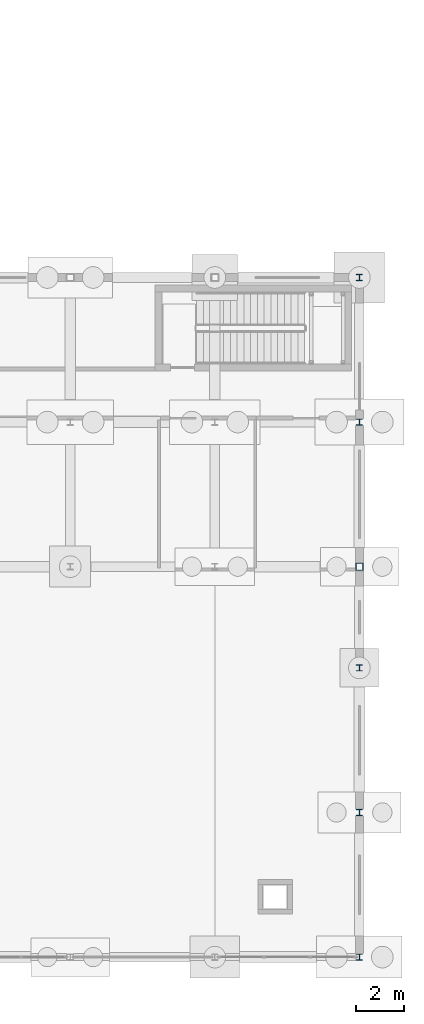
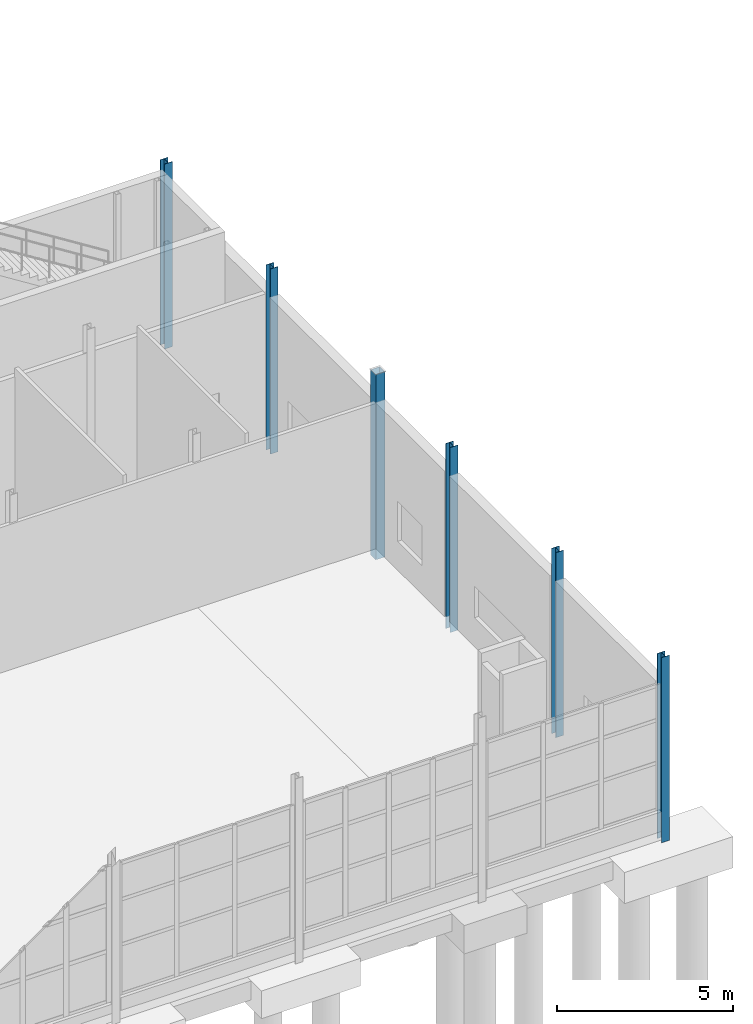
# One storey, part 26 of 120: 6 columns.
"""IFC4 building model written with IfcOpenShell, lengths in metres."""

from ifc_helpers import new_model, si_unit, direction, frame, origin, origin_2d, place, context, subcontext, project, spatial, hollow_rectangle, i_section, extrude, material, material_profile, profile_set, type_object, element, save


model = new_model("IFC4")

# Units and contexts
model_context = context("Model", 3, precision=1e-05, world=origin(), true_north=direction((0.0, 1.0)))
body_context = subcontext(model_context, "Body", "Model", "MODEL_VIEW")
ifc_project = project(units=[si_unit("LENGTHUNIT", "METRE"), si_unit("AREAUNIT", "SQUARE_METRE"), si_unit("VOLUMEUNIT", "CUBIC_METRE"), si_unit("PLANEANGLEUNIT", "RADIAN"), si_unit("MASSUNIT", "GRAM", prefix="KILO")], contexts=[model_context])

# Site, building, storey
site_placement = place(None, origin())
site = spatial("IfcSite", under=ifc_project, at=site_placement, CompositionType="ELEMENT")
building_placement = place(site_placement, origin())
building = spatial("IfcBuilding", under=site, at=building_placement, Name="Siltcreek Boulevard Central Fire Station", CompositionType="ELEMENT")
storey_placement = place(building_placement, origin())
storey = spatial("IfcBuildingStorey", under=building, at=storey_placement, Name="L01", CompositionType="ELEMENT", Elevation=0.0)

# Columns
ifc_material_1 = material(Name="Structural steel ASTM A500 GrC", Category="steel")
ifc_material_profile_1 = material_profile(ifc_material_1, hollow_rectangle(XDim=0.300048828125, YDim=0.300048828125, WallThickness=0.012451171875, at=origin_2d()), Name="HSS300X300X12.5")
ifc_profile_set_1 = profile_set([ifc_material_profile_1], Name="Structural steel ASTM A500 GrC")
column_type_1 = type_object("IfcColumnType", Name="COL_HSS300", PredefinedType="COLUMN", material=ifc_profile_set_1)
column_placement = place(storey_placement, frame((166.199951171875, 18.0, -0.409912109375), z_axis=(0.0, 0.0, 1.0), x_axis=(1.0, 0.0, 0.0)))
element("IfcColumn", 1, at=column_placement, inside=storey, type_object=column_type_1, Name="L01 structural column COLG-L01-1662-180", PredefinedType="COLUMN", context=body_context, shape_type="SweptSolid", body=[
    extrude(hollow_rectangle(XDim=0.300048828125, YDim=0.300048828125, WallThickness=0.012451171875, at=origin_2d()), origin(), (0.0, 0.0, 1.0), 6.409912109375),
])
ifc_material_2 = material(Name="Structural steel ASTM A992 Gr50", Category="steel")
ifc_material_profile_2 = material_profile(ifc_material_2, i_section(OverallWidth=0.25390625, OverallDepth=0.2529296875, WebThickness=0.008544921875, FlangeThickness=0.01416015625, at=origin_2d()), Name="W250X73")
ifc_profile_set_2 = profile_set([ifc_material_profile_2], Name="Structural steel ASTM A992 Gr50")
column_type_2 = type_object("IfcColumnType", Name="COL_W250X73", PredefinedType="COLUMN", material=ifc_profile_set_2)
for number, where, z_axis, x_axis, name in (
    (2, (166.199951171875, 1.800048828125, -0.409912109375), (0.0, 0.0, 1.0), (1.0, 0.0, 0.0), "L01 structural column COLG-L01-1662-18"),
    (3, (166.199951171875, 7.800048828125, -0.409912109375), (0.0, 0.0, 1.0), (1.0, 0.0, 0.0), "L01 structural column COLG-L01-1662-78"),
    (4, (166.199951171875, 13.800048828125, -0.409912109375), (0.0, 0.0, 1.0), (1.0, 0.0, 0.0), "L01 structural column COLG-L01-1662-138"),
    (5, (166.199951171875, 24.0, -0.409912109375), (0.0, 0.0, 1.0), (1.0, 0.0, 0.0), "L01 structural column COLG-L01-1662-240"),
    (6, (166.199951171875, 30.0, -0.409912109375), (0.0, 0.0, 1.0), (1.0, 0.0, 0.0), "L01 structural column COLG-L01-1662-300"),
):
    element("IfcColumn", number, at=place(storey_placement, frame(where, z_axis=z_axis, x_axis=x_axis)), inside=storey, type_object=column_type_2, Name=name, PredefinedType="COLUMN", context=body_context, shape_type="SweptSolid", body=[
        extrude(i_section(OverallWidth=0.25390625, OverallDepth=0.2529296875, WebThickness=0.008544921875, FlangeThickness=0.01416015625, at=origin_2d()), origin(), (0.0, 0.0, 1.0), 6.409912109375),
    ])

save(model, "model.ifc")
